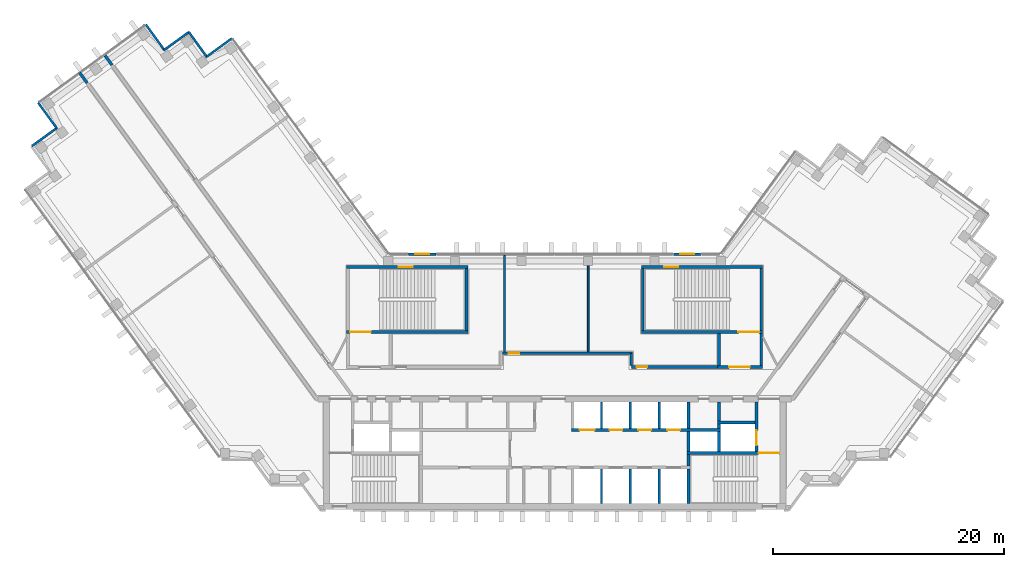
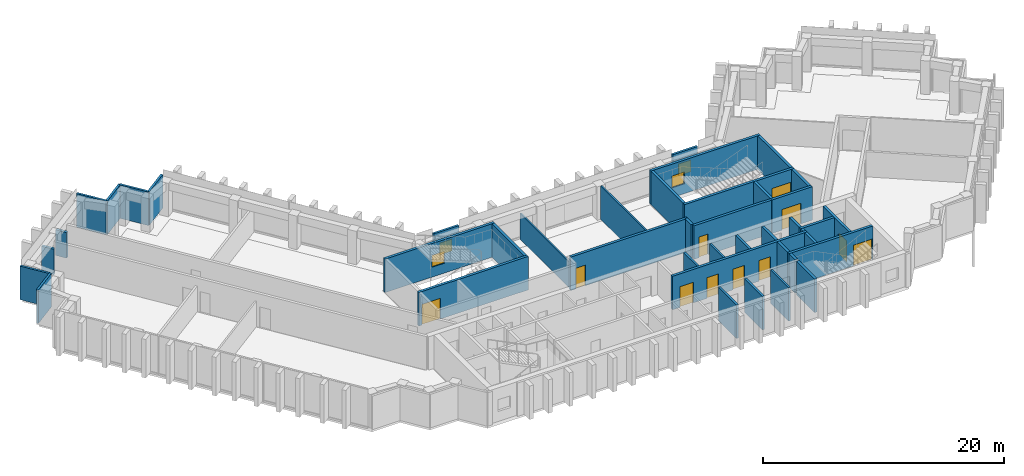
# One storey, part 6 of 9: 42 walls, 11 doors, 4 windows, 15 openings.
"""IFC4 building model written with IfcOpenShell, lengths in metres."""

import ifcopenshell
import ifcopenshell.guid

model = None  # the IFC model being written
_history = None  # IfcOwnerHistory: only IFC2X3 demands one
_inside = {}  # id of a spatial element -> (the spatial element, [elements in it])
_under = {}  # id of a project, library or spatial element -> (it, [spatial elements below it])
_declared = {}  # id of a project -> (the project, [libraries it declares])
_typed = {}  # id of a type object -> (the type object, [elements of that type])
_made_of = {}  # id of a material, layer set ... -> (it, [elements and type objects made of it])


def new_model(schema):
    """Start an empty IFC model of exactly this schema.

    Asked for "IFC4X3", IfcOpenShell would pick the latest addendum, in which some entities
    have other attributes; the version numbers below select the first issue.
    IFC2X3 requires an IfcOwnerHistory on every rooted entity: one is made here for all.
    """
    global model, _history
    if schema == "IFC4X3":
        model = ifcopenshell.file(schema_version=(4, 3, 0, 0))
    else:
        model = ifcopenshell.file(schema=schema)
    _inside.clear()
    _under.clear()
    _declared.clear()
    _typed.clear()
    _made_of.clear()
    _history = None
    if model.schema == "IFC2X3":
        org = make("IfcOrganization", Name="unknown")
        user = make(
            "IfcPersonAndOrganization",
            ThePerson=make("IfcPerson", FamilyName="unknown"),
            TheOrganization=org,
        )
        app = make(
            "IfcApplication",
            ApplicationDeveloper=org,
            Version="unknown",
            ApplicationFullName="unknown",
            ApplicationIdentifier="unknown",
        )
        _history = make(
            "IfcOwnerHistory",
            OwningUser=user,
            OwningApplication=app,
            ChangeAction="ADDED",
            CreationDate=0,
        )
    return model


def make(cls, **values):
    """One entity of the class cls with the attributes given. An attribute that is None is left unset."""
    return model.create_entity(
        cls, **{name: value for name, value in values.items() if value is not None}
    )


def rooted(cls, **values):
    """An entity with a GlobalId (a new one), such as an element, a storey or a relation."""
    return make(cls, GlobalId=ifcopenshell.guid.new(), OwnerHistory=_history, **values)


def si_unit(unit_type, name, prefix=None):
    """IfcSIUnit, for example si_unit("LENGTHUNIT", "METRE", prefix="MILLI")."""
    return make("IfcSIUnit", UnitType=unit_type, Prefix=prefix, Name=name)


def assignment(units):
    """IfcUnitAssignment: the units of a project."""
    return None if units is None else make("IfcUnitAssignment", Units=units)


def point(xyz):
    """IfcCartesianPoint."""
    return None if xyz is None else make("IfcCartesianPoint", Coordinates=xyz)


def direction(xyz):
    """IfcDirection."""
    return None if xyz is None else make("IfcDirection", DirectionRatios=xyz)


def frame(location, z_axis=None, x_axis=None):
    """IfcAxis2Placement3D, a coordinate frame: its origin and axes. An axis left out is left unset."""
    return make(
        "IfcAxis2Placement3D",
        Location=point(location),
        Axis=direction(z_axis),
        RefDirection=direction(x_axis),
    )


def frame_2d(location, x_axis=None):
    """IfcAxis2Placement2D, a coordinate frame in the plane: its origin and x axis."""
    return make(
        "IfcAxis2Placement2D", Location=point(location), RefDirection=direction(x_axis)
    )


def origin():
    """The frame at (0, 0, 0) with its axes left unset."""
    return frame((0.0, 0.0, 0.0))


def place(relative_to, where):
    """IfcLocalPlacement: puts the frame where relative to a parent placement (None: the world)."""
    return make(
        "IfcLocalPlacement", PlacementRelTo=relative_to, RelativePlacement=where
    )


def context(
    kind, dimensions, precision=None, world=None, true_north=None, identifier=None
):
    """IfcGeometricRepresentationContext, for example the 3D "Model" context."""
    return make(
        "IfcGeometricRepresentationContext",
        ContextIdentifier=identifier,
        ContextType=kind,
        CoordinateSpaceDimension=dimensions,
        Precision=precision,
        WorldCoordinateSystem=world,
        TrueNorth=true_north,
    )


def subcontext(parent, identifier, kind, view, scale=None):
    """IfcGeometricRepresentationSubContext, for example "Body" below "Model"."""
    return make(
        "IfcGeometricRepresentationSubContext",
        ContextIdentifier=identifier,
        ContextType=kind,
        ParentContext=parent,
        TargetScale=scale,
        TargetView=view,
    )


def project(units=None, contexts=None):
    """IfcProject with its units and contexts."""
    return rooted(
        "IfcProject",
        Name="project",
        RepresentationContexts=contexts,
        UnitsInContext=assignment(units),
    )


def spatial(cls, under=None, at=None, **own):
    """A site, building, storey or space (cls), placed at a placement, below another one or the project."""
    s = rooted(cls, ObjectPlacement=at, **own)
    if under is not None:
        _under.setdefault(under.id(), (under, []))[1].append(s)
    return s


def profile(cls, at=None, kind="AREA", **sizes):
    """A parametric profile (cls). Its sizes go by their IFC names, for example OverallWidth=200.0."""
    return make(cls, ProfileType=kind, Position=at, **sizes)


def rectangle(**sizes):
    """IfcRectangleProfileDef."""
    return profile("IfcRectangleProfileDef", **sizes)


def extrude(swept, where, along, depth):
    """IfcExtrudedAreaSolid: the profile swept, set in the frame where, extruded along a direction by depth."""
    return make(
        "IfcExtrudedAreaSolid",
        SweptArea=swept,
        Position=where,
        ExtrudedDirection=direction(along),
        Depth=depth,
    )


def shape(context_of_items, identifier, shape_type, items):
    """IfcShapeRepresentation: the items that make up one representation, for example the "Body"."""
    return make(
        "IfcShapeRepresentation",
        ContextOfItems=context_of_items,
        RepresentationIdentifier=identifier,
        RepresentationType=shape_type,
        Items=items,
    )


def material(Name=None, Category=None):
    """IfcMaterial."""
    return make("IfcMaterial", Name=Name, Category=Category)


def layer(
    of_material, thickness, ventilated=None, Name=None, Category=None, Priority=None
):
    """IfcMaterialLayer: one layer of a wall or slab, of a material (None: an air gap)."""
    return make(
        "IfcMaterialLayer",
        Material=of_material,
        LayerThickness=thickness,
        IsVentilated=ventilated,
        Name=Name,
        Category=Category,
        Priority=Priority,
    )


def layer_set(layers, Name=None):
    """IfcMaterialLayerSet."""
    return make("IfcMaterialLayerSet", MaterialLayers=layers, LayerSetName=Name)


def made_of(thing, what):
    """Note that an element or type object is made of a material, layer set ...; save() writes the relation."""
    if what is not None:
        _made_of.setdefault(what.id(), (what, []))[1].append(thing)
    return thing


def type_object(cls, material=None, **own):
    """A type object (cls), such as IfcWallType, which elements share."""
    return made_of(rooted(cls, **own), material)


def element(
    cls,
    number,
    at=None,
    inside=None,
    cuts=None,
    type_object=None,
    material=None,
    context=None,
    identifier="Body",
    shape_type=None,
    held_by="IfcProductDefinitionShape",
    body=None,
    shapes=None,
    **own,
):
    """One element of the class cls, such as IfcWall. Its Tag is "e" and its number.

    at: its placement. inside: the storey or other place that contains it. cuts: it is an
    opening in that element (IfcRelVoidsElement). A single representation is given by context,
    identifier, shape_type and body (its items); several are given by shapes. held_by: the class
    of the entity that holds the representations. save() writes the other relations.
    """
    e = rooted(cls, Tag="e%d" % number, ObjectPlacement=at, **own)
    if body is not None:
        shapes = [shape(context, identifier, shape_type, body)]
    if shapes is not None:
        e.Representation = make(held_by, Representations=shapes)
    if inside is not None:
        _inside.setdefault(inside.id(), (inside, []))[1].append(e)
    if cuts is not None:
        rooted(
            "IfcRelVoidsElement", RelatingBuildingElement=cuts, RelatedOpeningElement=e
        )
    if type_object is not None:
        _typed.setdefault(type_object.id(), (type_object, []))[1].append(e)
    return made_of(e, material)


def fill(opening, filler):
    """IfcRelFillsElement: the door or window that sits in an opening."""
    return rooted(
        "IfcRelFillsElement",
        RelatingOpeningElement=opening,
        RelatedBuildingElement=filler,
    )


def aggregate(whole, parts):
    """IfcRelAggregates: a whole, such as a stair, and the parts it consists of."""
    return rooted("IfcRelAggregates", RelatingObject=whole, RelatedObjects=parts)


def save(model, path):
    """Write the relations noted so far, then the file.

    IfcRelAggregates (storeys below a building ...), IfcRelContainedInSpatialStructure (elements
    in a storey), IfcRelDefinesByType, IfcRelAssociatesMaterial and IfcRelDeclares: one each for
    every whole, place, type object, material and project.
    """
    for whole, parts in _under.values():
        aggregate(whole, parts)
    for where, things in _inside.values():
        rooted(
            "IfcRelContainedInSpatialStructure",
            RelatedElements=things,
            RelatingStructure=where,
        )
    for kind, things in _typed.values():
        rooted("IfcRelDefinesByType", RelatedObjects=things, RelatingType=kind)
    for what, things in _made_of.values():
        rooted("IfcRelAssociatesMaterial", RelatedObjects=things, RelatingMaterial=what)
    for by, libraries in _declared.values():
        rooted("IfcRelDeclares", RelatingContext=by, RelatedDefinitions=libraries)
    model.write(path)


model = new_model("IFC4")

# Units and contexts
model_context = context("Model", 3, precision=1e-05, world=origin(), true_north=direction((0.0, 1.0)))
body_context = subcontext(model_context, "Body", "Model", "MODEL_VIEW")
ifc_project = project(units=[si_unit("LENGTHUNIT", "METRE"), si_unit("AREAUNIT", "SQUARE_METRE"), si_unit("VOLUMEUNIT", "CUBIC_METRE"), si_unit("PLANEANGLEUNIT", "RADIAN"), si_unit("MASSUNIT", "GRAM", prefix="KILO")], contexts=[model_context])

# Site, building, storey
site_placement = place(None, origin())
site = spatial("IfcSite", under=ifc_project, at=site_placement, CompositionType="ELEMENT")
building_placement = place(site_placement, origin())
building = spatial("IfcBuilding", under=site, at=building_placement, Name="Quipu Civic Tower", CompositionType="ELEMENT")
storey_placement = place(building_placement, frame((0.0, 0.0, 238.0)))
storey = spatial("IfcBuildingStorey", under=building, at=storey_placement, Name="L56", CompositionType="ELEMENT", Elevation=238.0)

# Walls
ifc_material_1 = material(Name="Double gypsum plasterboard with mineral wool")
ifc_layer_1 = layer(ifc_material_1, 0.14990234375)
ifc_layer_set_1 = layer_set([ifc_layer_1], Name="Double gypsum plasterboard with mineral wool")
wall_type_1 = type_object("IfcWallType", Name="Acoustic partition 150 plasterboard", PredefinedType="PARTITIONING", material=ifc_layer_set_1)
wall_1_placement = place(storey_placement, frame((-4.339111328125, 2.64990234375, 0.0), z_axis=(0.0, 0.0, 1.0), x_axis=(0.0, 1.0, 0.0)))
element("IfcWall", 1, at=wall_1_placement, inside=storey, type_object=wall_type_1, Name="Partition P03", PredefinedType="PARTITIONING", context=body_context, shape_type="SweptSolid", body=[
    extrude(rectangle(XDim=8.35009765625, YDim=0.14990234375, at=frame_2d((4.175048828125, 0.0))), origin(), (0.0, 0.0, 1.0), 2.60009765625),
])
wall_2_placement = place(storey_placement, frame((2.89892578125, 10.094970703125, 0.0), z_axis=(0.0, 0.0, 1.0), x_axis=(0.0, -1.0, 0.0)))
element("IfcWall", 2, at=wall_2_placement, inside=storey, type_object=wall_type_1, Name="Partition P04", PredefinedType="PARTITIONING", context=body_context, shape_type="SweptSolid", body=[
    extrude(rectangle(XDim=7.445068359375, YDim=0.14990234375, at=frame_2d((3.72265625, 0.0))), origin(), (0.0, 0.0, 1.0), 3.39990234375),
])
ifc_material_2 = material(Name="Concrete C70/85", Category="concrete")
ifc_layer_2 = layer(ifc_material_2, 0.25)
ifc_layer_set_2 = layer_set([ifc_layer_2], Name="Concrete C70/85")
wall_type_2 = type_object("IfcWallType", Name="Core wall 250", PredefinedType="SHEAR", material=ifc_layer_set_2)
wall_3_placement = place(storey_placement, frame((11.574951171875, -10.5, 0.0), z_axis=(0.0, 0.0, 1.0), x_axis=(0.0, 1.0, 0.0)))
element("IfcWall", 3, at=wall_3_placement, inside=storey, type_object=wall_type_2, Name="Core wall", PredefinedType="SHEAR", context=body_context, shape_type="SweptSolid", body=[
    extrude(rectangle(XDim=3.0, YDim=0.25, at=frame_2d((1.5, 0.0))), origin(), (0.0, 0.0, 1.0), 3.39990234375),
])
wall_4_placement = place(storey_placement, frame((11.574951171875, -7.25, 0.0), z_axis=(0.0, 0.0, 1.0), x_axis=(0.0, 1.0, 0.0)))
element("IfcWall", 4, at=wall_4_placement, inside=storey, type_object=wall_type_2, Name="Core wall", PredefinedType="SHEAR", context=body_context, shape_type="SweptSolid", body=[
    extrude(rectangle(XDim=1.0, YDim=0.25, at=frame_2d((0.5, 0.0))), origin(), (0.0, 0.0, 1.0), 3.39990234375),
])

# Wall, opening, door
wall_5_placement = place(storey_placement, frame((19.5, -6.125, 0.0), z_axis=(0.0, 0.0, 1.0), x_axis=(-1.0, 0.0, 0.0)))
wall_5 = element("IfcWall", 5, at=wall_5_placement, inside=storey, type_object=wall_type_2, Name="Core wall", PredefinedType="SHEAR", context=body_context, shape_type="SweptSolid", body=[
    extrude(rectangle(XDim=8.050048828125, YDim=0.25, at=frame_2d((4.02490234375, 0.0))), origin(), (0.0, 0.0, 1.0), 3.39990234375),
])
opening_1_placement = place(wall_5_placement, frame((0.050048828125, 0.0, 0.0)))
opening_1 = element("IfcOpeningElement", 6, at=opening_1_placement, cuts=wall_5, Name="Opening CD-06", PredefinedType="OPENING", context=body_context, shape_type="SweptSolid", body=[
    extrude(rectangle(XDim=1.800048828125, YDim=2.10009765625, at=frame_2d((0.89990234375, 1.050048828125))), frame((0.0, 0.135009765625, 0.0), z_axis=(0.0, -1.0, 0.0), x_axis=(1.0, 0.0, 0.0)), (0.0, 0.0, 1.0), 0.27001953125),
])
ifc_material_3 = material(Name="Fire rated steel door", Category="steel")
door_type_1 = type_object("IfcDoorType", Name="Fire door FD90 double 1800 x 2100", OperationType="NOTDEFINED", PredefinedType="DOOR", material=ifc_material_3)
door_1_placement = place(opening_1_placement, origin())
door_1 = element("IfcDoor", 7, at=door_1_placement, inside=storey, type_object=door_type_1, Name="Door", OperationType="DOUBLE_DOOR_SINGLE_SWING", OverallHeight=2.10009765625, OverallWidth=1.800048828125, PredefinedType="DOOR", context=body_context, shape_type="SweptSolid", body=[
    extrude(rectangle(XDim=1.800048828125, YDim=2.10009765625, at=frame_2d((0.89990234375, 1.050048828125))), frame((0.0, 0.02490234375, 0.0), z_axis=(0.0, -1.0, 0.0), x_axis=(1.0, 0.0, 0.0)), (0.0, 0.0, 1.0), 0.050048828125),
])
fill(opening_1, door_1)

# Walls
for number, where, z_axis, x_axis, name in (
    (8, (11.574951171875, -6.0, 0.0), (0.0, 0.0, 1.0), (0.0, 1.0, 0.0), "Core wall"),
    (9, (14.22509765625, -6.0, 0.0), (0.0, 0.0, 1.0), (0.0, 1.0, 0.0), "Core wall"),
):
    element("IfcWall", number, at=place(storey_placement, frame(where, z_axis=z_axis, x_axis=x_axis)), inside=storey, type_object=wall_type_2, Name=name, PredefinedType="SHEAR", context=body_context, shape_type="SweptSolid", body=[
        extrude(rectangle(XDim=1.75, YDim=0.25, at=frame_2d((0.875, 0.0))), origin(), (0.0, 0.0, 1.0), 3.39990234375),
    ])

# Wall, opening, door
wall_6_placement = place(storey_placement, frame((17.47509765625, -6.0, 0.0), z_axis=(0.0, 0.0, 1.0), x_axis=(0.0, 1.0, 0.0)))
wall_6 = element("IfcWall", 10, at=wall_6_placement, inside=storey, type_object=wall_type_2, Name="Core wall", PredefinedType="SHEAR", context=body_context, shape_type="SweptSolid", body=[
    extrude(rectangle(XDim=4.300048828125, YDim=0.25, at=frame_2d((2.14990234375, 0.0))), origin(), (0.0, 0.0, 1.0), 3.39990234375),
])
opening_2_placement = place(wall_6_placement, frame((0.550048828125, 0.0, 0.0)))
opening_2 = element("IfcOpeningElement", 11, at=opening_2_placement, cuts=wall_6, Name="Opening LD-FF2", PredefinedType="OPENING", context=body_context, shape_type="SweptSolid", body=[
    extrude(rectangle(XDim=1.300048828125, YDim=2.10009765625, at=frame_2d((0.64990234375, 1.050048828125))), frame((0.0, 0.135009765625, 0.0), z_axis=(0.0, -1.0, 0.0), x_axis=(1.0, 0.0, 0.0)), (0.0, 0.0, 1.0), 0.27001953125),
])
ifc_material_4 = material(Name="Stainless steel", Category="steel")
door_type_2 = type_object("IfcDoorType", Name="Lift landing door 1300 x 2100", OperationType="DOUBLE_DOOR_SLIDING", PredefinedType="DOOR", material=ifc_material_4)
door_2_placement = place(opening_2_placement, origin())
door_2 = element("IfcDoor", 12, at=door_2_placement, inside=storey, type_object=door_type_2, Name="Landing door FF2", OperationType="DOUBLE_DOOR_SLIDING", OverallHeight=2.10009765625, OverallWidth=1.300048828125, PredefinedType="DOOR", context=body_context, shape_type="SweptSolid", body=[
    extrude(rectangle(XDim=1.300048828125, YDim=2.10009765625, at=frame_2d((0.64990234375, 1.050048828125))), frame((0.0, 0.02490234375, 0.0), z_axis=(0.0, -1.0, 0.0), x_axis=(1.0, 0.0, 0.0)), (0.0, 0.0, 1.0), 0.050048828125),
])
fill(opening_2, door_2)

# Wall, openings, doors
wall_7_placement = place(storey_placement, frame((1.449951171875, -4.125, 0.0), z_axis=(0.0, 0.0, 1.0), x_axis=(1.0, 0.0, 0.0)))
wall_7 = element("IfcWall", 13, at=wall_7_placement, inside=storey, type_object=wall_type_2, Name="Core wall", PredefinedType="SHEAR", context=body_context, shape_type="SweptSolid", body=[
    extrude(rectangle(XDim=12.900146484375, YDim=0.25, at=frame_2d((6.4501953125, 0.0))), origin(), (0.0, 0.0, 1.0), 3.39990234375),
])
opening_3_placement = place(wall_7_placement, frame((0.699951171875, 0.0, 0.0)))
opening_3 = element("IfcOpeningElement", 14, at=opening_3_placement, cuts=wall_7, Name="Opening LD-FF3", PredefinedType="OPENING", context=body_context, shape_type="SweptSolid", body=[
    extrude(rectangle(XDim=1.300048828125, YDim=2.10009765625, at=frame_2d((0.64990234375, 1.050048828125))), frame((0.0, 0.135009765625, 0.0), z_axis=(0.0, -1.0, 0.0), x_axis=(1.0, 0.0, 0.0)), (0.0, 0.0, 1.0), 0.27001953125),
])
opening_4_placement = place(wall_7_placement, frame((3.300048828125, 0.0, 0.0)))
opening_4 = element("IfcOpeningElement", 15, at=opening_4_placement, cuts=wall_7, Name="Opening LD-ML5", PredefinedType="OPENING", context=body_context, shape_type="SweptSolid", body=[
    extrude(rectangle(XDim=1.10009765625, YDim=2.10009765625, at=frame_2d((0.550048828125, 1.050048828125))), frame((0.0, 0.135009765625, 0.0), z_axis=(0.0, -1.0, 0.0), x_axis=(1.0, 0.0, 0.0)), (0.0, 0.0, 1.0), 0.27001953125),
])
opening_5_placement = place(wall_7_placement, frame((5.800048828125, 0.0, 0.0)))
opening_5 = element("IfcOpeningElement", 16, at=opening_5_placement, cuts=wall_7, Name="Opening LD-ML6", PredefinedType="OPENING", context=body_context, shape_type="SweptSolid", body=[
    extrude(rectangle(XDim=1.10009765625, YDim=2.10009765625, at=frame_2d((0.550048828125, 1.050048828125))), frame((0.0, 0.135009765625, 0.0), z_axis=(0.0, -1.0, 0.0), x_axis=(1.0, 0.0, 0.0)), (0.0, 0.0, 1.0), 0.27001953125),
])
opening_6_placement = place(wall_7_placement, frame((8.300048828125, 0.0, 0.0)))
opening_6 = element("IfcOpeningElement", 17, at=opening_6_placement, cuts=wall_7, Name="Opening LD-ML7", PredefinedType="OPENING", context=body_context, shape_type="SweptSolid", body=[
    extrude(rectangle(XDim=1.10009765625, YDim=2.10009765625, at=frame_2d((0.550048828125, 1.050048828125))), frame((0.0, 0.135009765625, 0.0), z_axis=(0.0, -1.0, 0.0), x_axis=(1.0, 0.0, 0.0)), (0.0, 0.0, 1.0), 0.27001953125),
])
ifc_material_5 = material(Name="Stainless steel", Category="steel")
door_type_3 = type_object("IfcDoorType", Name="Lift landing door 1100 x 2100", OperationType="DOUBLE_DOOR_SLIDING", PredefinedType="DOOR", material=ifc_material_5)
door_3_placement = place(opening_4_placement, origin())
door_3 = element("IfcDoor", 18, at=door_3_placement, inside=storey, type_object=door_type_3, Name="Landing door ML5", OperationType="DOUBLE_DOOR_SLIDING", OverallHeight=2.10009765625, OverallWidth=1.10009765625, PredefinedType="DOOR", context=body_context, shape_type="SweptSolid", body=[
    extrude(rectangle(XDim=1.10009765625, YDim=2.10009765625, at=frame_2d((0.550048828125, 1.050048828125))), frame((0.0, 0.02490234375, 0.0), z_axis=(0.0, -1.0, 0.0), x_axis=(1.0, 0.0, 0.0)), (0.0, 0.0, 1.0), 0.050048828125),
])
fill(opening_4, door_3)
door_4_placement = place(opening_5_placement, origin())
door_4 = element("IfcDoor", 19, at=door_4_placement, inside=storey, type_object=door_type_3, Name="Landing door ML6", OperationType="DOUBLE_DOOR_SLIDING", OverallHeight=2.10009765625, OverallWidth=1.10009765625, PredefinedType="DOOR", context=body_context, shape_type="SweptSolid", body=[
    extrude(rectangle(XDim=1.10009765625, YDim=2.10009765625, at=frame_2d((0.550048828125, 1.050048828125))), frame((0.0, 0.02490234375, 0.0), z_axis=(0.0, -1.0, 0.0), x_axis=(1.0, 0.0, 0.0)), (0.0, 0.0, 1.0), 0.050048828125),
])
fill(opening_5, door_4)
door_5_placement = place(opening_6_placement, origin())
door_5 = element("IfcDoor", 20, at=door_5_placement, inside=storey, type_object=door_type_3, Name="Landing door ML7", OperationType="DOUBLE_DOOR_SLIDING", OverallHeight=2.10009765625, OverallWidth=1.10009765625, PredefinedType="DOOR", context=body_context, shape_type="SweptSolid", body=[
    extrude(rectangle(XDim=1.10009765625, YDim=2.10009765625, at=frame_2d((0.550048828125, 1.050048828125))), frame((0.0, 0.02490234375, 0.0), z_axis=(0.0, -1.0, 0.0), x_axis=(1.0, 0.0, 0.0)), (0.0, 0.0, 1.0), 0.050048828125),
])
fill(opening_6, door_5)
door_6_placement = place(opening_3_placement, origin())
door_6 = element("IfcDoor", 21, at=door_6_placement, inside=storey, type_object=door_type_2, Name="Landing door FF3", OperationType="DOUBLE_DOOR_SLIDING", OverallHeight=2.10009765625, OverallWidth=1.300048828125, PredefinedType="DOOR", context=body_context, shape_type="SweptSolid", body=[
    extrude(rectangle(XDim=1.300048828125, YDim=2.10009765625, at=frame_2d((0.64990234375, 1.050048828125))), frame((0.0, 0.02490234375, 0.0), z_axis=(0.0, -1.0, 0.0), x_axis=(1.0, 0.0, 0.0)), (0.0, 0.0, 1.0), 0.050048828125),
])
fill(opening_3, door_6)

# Walls
wall_8_placement = place(storey_placement, frame((11.574951171875, -4.0, 0.0), z_axis=(0.0, 0.0, 1.0), x_axis=(0.0, 1.0, 0.0)))
element("IfcWall", 22, at=wall_8_placement, inside=storey, type_object=wall_type_2, Name="Core wall", PredefinedType="SHEAR", context=body_context, shape_type="SweptSolid", body=[
    extrude(rectangle(XDim=2.300048828125, YDim=0.25, at=frame_2d((1.14990234375, 0.0))), origin(), (0.0, 0.0, 1.0), 3.39990234375),
])
wall_9_placement = place(storey_placement, frame((14.22509765625, -4.0, 0.0), z_axis=(0.0, 0.0, 1.0), x_axis=(0.0, 1.0, 0.0)))
element("IfcWall", 23, at=wall_9_placement, inside=storey, type_object=wall_type_2, Name="Core wall", PredefinedType="SHEAR", context=body_context, shape_type="SweptSolid", body=[
    extrude(rectangle(XDim=0.39990234375, YDim=0.25, at=frame_2d((0.199951171875, 0.0))), origin(), (0.0, 0.0, 1.0), 3.39990234375),
])
wall_10_placement = place(storey_placement, frame((14.10009765625, -3.47509765625, 0.0), z_axis=(0.0, 0.0, 1.0), x_axis=(1.0, 0.0, 0.0)))
element("IfcWall", 24, at=wall_10_placement, inside=storey, type_object=wall_type_2, Name="Core wall", PredefinedType="SHEAR", context=body_context, shape_type="SweptSolid", body=[
    extrude(rectangle(XDim=3.25, YDim=0.25, at=frame_2d((1.625, 0.0))), origin(), (0.0, 0.0, 1.0), 3.39990234375),
])
wall_11_placement = place(storey_placement, frame((14.22509765625, -3.35009765625, 0.0), z_axis=(0.0, 0.0, 1.0), x_axis=(0.0, 1.0, 0.0)))
element("IfcWall", 25, at=wall_11_placement, inside=storey, type_object=wall_type_2, Name="Core wall", PredefinedType="SHEAR", context=body_context, shape_type="SweptSolid", body=[
    extrude(rectangle(XDim=1.650146484375, YDim=0.25, at=frame_2d((0.8251953125, 0.0))), origin(), (0.0, 0.0, 1.0), 3.39990234375),
])

# Wall, opening, door
wall_12_placement = place(storey_placement, frame((-18.0, 4.375, 0.0), z_axis=(0.0, 0.0, 1.0), x_axis=(1.0, 0.0, 0.0)))
wall_12 = element("IfcWall", 26, at=wall_12_placement, inside=storey, type_object=wall_type_2, Name="Core wall", PredefinedType="SHEAR", context=body_context, shape_type="SweptSolid", body=[
    extrude(rectangle(XDim=10.5, YDim=0.25, at=frame_2d((5.25, 0.0))), origin(), (0.0, 0.0, 1.0), 3.39990234375),
])
opening_7_placement = place(wall_12_placement, frame((0.300048828125, 0.0, 0.0)))
opening_7 = element("IfcOpeningElement", 27, at=opening_7_placement, cuts=wall_12, Name="Opening CD-20", PredefinedType="OPENING", context=body_context, shape_type="SweptSolid", body=[
    extrude(rectangle(XDim=1.800048828125, YDim=2.10009765625, at=frame_2d((0.89990234375, 1.050048828125))), frame((0.0, 0.135009765625, 0.0), z_axis=(0.0, -1.0, 0.0), x_axis=(1.0, 0.0, 0.0)), (0.0, 0.0, 1.0), 0.27001953125),
])
door_7_placement = place(opening_7_placement, origin())
door_7 = element("IfcDoor", 28, at=door_7_placement, inside=storey, type_object=door_type_1, Name="Door", OperationType="DOUBLE_DOOR_SINGLE_SWING", OverallHeight=2.10009765625, OverallWidth=1.800048828125, PredefinedType="DOOR", context=body_context, shape_type="SweptSolid", body=[
    extrude(rectangle(XDim=1.800048828125, YDim=2.10009765625, at=frame_2d((0.89990234375, 1.050048828125))), frame((0.0, 0.02490234375, 0.0), z_axis=(0.0, -1.0, 0.0), x_axis=(1.0, 0.0, 0.0)), (0.0, 0.0, 1.0), 0.050048828125),
])
fill(opening_7, door_7)

# Wall
wall_13_placement = place(storey_placement, frame((-7.625, 4.5, 0.0), z_axis=(0.0, 0.0, 1.0), x_axis=(0.0, 1.0, 0.0)))
element("IfcWall", 29, at=wall_13_placement, inside=storey, type_object=wall_type_2, Name="Core wall", PredefinedType="SHEAR", context=body_context, shape_type="SweptSolid", body=[
    extrude(rectangle(XDim=5.35009765625, YDim=0.25, at=frame_2d((2.675048828125, 0.0))), origin(), (0.0, 0.0, 1.0), 3.39990234375),
])

# Wall, opening, window
wall_14_placement = place(storey_placement, frame((-18.0, 9.97509765625, 0.0), z_axis=(0.0, 0.0, 1.0), x_axis=(1.0, 0.0, 0.0)))
wall_14 = element("IfcWall", 30, at=wall_14_placement, inside=storey, type_object=wall_type_2, Name="Core wall", PredefinedType="SHEAR", context=body_context, shape_type="SweptSolid", body=[
    extrude(rectangle(XDim=10.5, YDim=0.25, at=frame_2d((5.25, 0.0))), origin(), (0.0, 0.0, 1.0), 3.39990234375),
])
opening_8_placement = place(wall_14_placement, frame((4.5, 0.0, 1.0)))
opening_8 = element("IfcOpeningElement", 31, at=opening_8_placement, cuts=wall_14, Name="Opening SV-3", PredefinedType="OPENING", context=body_context, shape_type="SweptSolid", body=[
    extrude(rectangle(XDim=1.199951171875, YDim=1.199951171875, at=frame_2d((0.60009765625, 0.60009765625))), frame((0.0, 0.135009765625, 0.0), z_axis=(0.0, -1.0, 0.0), x_axis=(1.0, 0.0, 0.0)), (0.0, 0.0, 1.0), 0.27001953125),
])
ifc_material_6 = material(Name="Aluminium louvre", Category="aluminium")
window_type_1 = type_object("IfcWindowType", Name="Stair ventilation louvre 1200 x 1200", PartitioningType="SINGLE_PANEL", PredefinedType="WINDOW", material=ifc_material_6)
window_1_placement = place(opening_8_placement, origin())
window_1 = element("IfcWindow", 32, at=window_1_placement, inside=storey, type_object=window_type_1, Name="Stair ventilation opening", OverallHeight=1.199951171875, OverallWidth=1.199951171875, PartitioningType="SINGLE_PANEL", PredefinedType="WINDOW", context=body_context, shape_type="SweptSolid", body=[
    extrude(rectangle(XDim=1.199951171875, YDim=1.199951171875, at=frame_2d((0.60009765625, 0.60009765625))), frame((0.0, 0.030029296875, 0.0), z_axis=(0.0, -1.0, 0.0), x_axis=(1.0, 0.0, 0.0)), (0.0, 0.0, 1.0), 0.06005859375),
])
fill(opening_8, window_1)

# Wall, opening, door
wall_15_placement = place(storey_placement, frame((14.10009765625, 1.324951171875, 0.0), z_axis=(0.0, 0.0, 1.0), x_axis=(1.0, 0.0, 0.0)))
wall_15 = element("IfcWall", 33, at=wall_15_placement, inside=storey, type_object=wall_type_2, Name="Core wall", PredefinedType="SHEAR", context=body_context, shape_type="SweptSolid", body=[
    extrude(rectangle(XDim=3.89990234375, YDim=0.25, at=frame_2d((1.949951171875, 0.0))), origin(), (0.0, 0.0, 1.0), 3.39990234375),
])
opening_9_placement = place(wall_15_placement, frame((1.0, 0.0, 0.0)))
opening_9 = element("IfcOpeningElement", 34, at=opening_9_placement, cuts=wall_15, Name="Opening CD-21", PredefinedType="OPENING", context=body_context, shape_type="SweptSolid", body=[
    extrude(rectangle(XDim=1.800048828125, YDim=2.10009765625, at=frame_2d((0.89990234375, 1.050048828125))), frame((0.0, 0.135009765625, 0.0), z_axis=(0.0, -1.0, 0.0), x_axis=(1.0, 0.0, 0.0)), (0.0, 0.0, 1.0), 0.27001953125),
])
door_8_placement = place(opening_9_placement, origin())
door_8 = element("IfcDoor", 35, at=door_8_placement, inside=storey, type_object=door_type_1, Name="Lobby door", OperationType="DOUBLE_DOOR_SINGLE_SWING", OverallHeight=2.10009765625, OverallWidth=1.800048828125, PredefinedType="DOOR", context=body_context, shape_type="SweptSolid", body=[
    extrude(rectangle(XDim=1.800048828125, YDim=2.10009765625, at=frame_2d((0.89990234375, 1.050048828125))), frame((0.0, 0.02490234375, 0.0), z_axis=(0.0, -1.0, 0.0), x_axis=(1.0, 0.0, 0.0)), (0.0, 0.0, 1.0), 0.050048828125),
])
fill(opening_9, door_8)

# Walls
for number, where, z_axis, x_axis, name in (
    (36, (14.22509765625, 1.449951171875, 0.0), (0.0, 0.0, 1.0), (0.0, 1.0, 0.0), "Core wall"),
    (37, (17.875, 1.449951171875, 0.0), (0.0, 0.0, 1.0), (0.0, 1.0, 0.0), "Core wall"),
):
    element("IfcWall", number, at=place(storey_placement, frame(where, z_axis=z_axis, x_axis=x_axis)), inside=storey, type_object=wall_type_2, Name=name, PredefinedType="SHEAR", context=body_context, shape_type="SweptSolid", body=[
        extrude(rectangle(XDim=2.800048828125, YDim=0.25, at=frame_2d((1.39990234375, 0.0))), origin(), (0.0, 0.0, 1.0), 3.39990234375),
    ])

# Wall, opening, door
wall_16_placement = place(storey_placement, frame((7.5, 4.375, 0.0), z_axis=(0.0, 0.0, 1.0), x_axis=(1.0, 0.0, 0.0)))
wall_16 = element("IfcWall", 38, at=wall_16_placement, inside=storey, type_object=wall_type_2, Name="Core wall", PredefinedType="SHEAR", context=body_context, shape_type="SweptSolid", body=[
    extrude(rectangle(XDim=10.5, YDim=0.25, at=frame_2d((5.25, 0.0))), origin(), (0.0, 0.0, 1.0), 3.39990234375),
])
opening_10_placement = place(wall_16_placement, frame((8.39990234375, 0.0, 0.0)))
opening_10 = element("IfcOpeningElement", 39, at=opening_10_placement, cuts=wall_16, Name="Opening CD-22", PredefinedType="OPENING", context=body_context, shape_type="SweptSolid", body=[
    extrude(rectangle(XDim=1.800048828125, YDim=2.10009765625, at=frame_2d((0.89990234375, 1.050048828125))), frame((0.0, 0.135009765625, 0.0), z_axis=(0.0, -1.0, 0.0), x_axis=(1.0, 0.0, 0.0)), (0.0, 0.0, 1.0), 0.27001953125),
])
door_9_placement = place(opening_10_placement, origin())
door_9 = element("IfcDoor", 40, at=door_9_placement, inside=storey, type_object=door_type_1, Name="Door", OperationType="DOUBLE_DOOR_SINGLE_SWING", OverallHeight=2.10009765625, OverallWidth=1.800048828125, PredefinedType="DOOR", context=body_context, shape_type="SweptSolid", body=[
    extrude(rectangle(XDim=1.800048828125, YDim=2.10009765625, at=frame_2d((0.89990234375, 1.050048828125))), frame((0.0, 0.02490234375, 0.0), z_axis=(0.0, -1.0, 0.0), x_axis=(1.0, 0.0, 0.0)), (0.0, 0.0, 1.0), 0.050048828125),
])
fill(opening_10, door_9)

# Walls
for number, where, z_axis, x_axis, name in (
    (41, (7.625, 4.5, 0.0), (0.0, 0.0, 1.0), (0.0, 1.0, 0.0), "Core wall"),
    (42, (17.875, 4.5, 0.0), (0.0, 0.0, 1.0), (0.0, 1.0, 0.0), "Core wall"),
):
    element("IfcWall", number, at=place(storey_placement, frame(where, z_axis=z_axis, x_axis=x_axis)), inside=storey, type_object=wall_type_2, Name=name, PredefinedType="SHEAR", context=body_context, shape_type="SweptSolid", body=[
        extrude(rectangle(XDim=5.35009765625, YDim=0.25, at=frame_2d((2.675048828125, 0.0))), origin(), (0.0, 0.0, 1.0), 3.39990234375),
    ])

# Wall, opening, window
wall_17_placement = place(storey_placement, frame((7.5, 9.97509765625, 0.0), z_axis=(0.0, 0.0, 1.0), x_axis=(1.0, 0.0, 0.0)))
wall_17 = element("IfcWall", 43, at=wall_17_placement, inside=storey, type_object=wall_type_2, Name="Core wall", PredefinedType="SHEAR", context=body_context, shape_type="SweptSolid", body=[
    extrude(rectangle(XDim=10.5, YDim=0.25, at=frame_2d((5.25, 0.0))), origin(), (0.0, 0.0, 1.0), 3.39990234375),
])
opening_11_placement = place(wall_17_placement, frame((2.0, 0.0, 1.0)))
opening_11 = element("IfcOpeningElement", 44, at=opening_11_placement, cuts=wall_17, Name="Opening SV-4", PredefinedType="OPENING", context=body_context, shape_type="SweptSolid", body=[
    extrude(rectangle(XDim=1.199951171875, YDim=1.199951171875, at=frame_2d((0.60009765625, 0.60009765625))), frame((0.0, 0.135009765625, 0.0), z_axis=(0.0, -1.0, 0.0), x_axis=(1.0, 0.0, 0.0)), (0.0, 0.0, 1.0), 0.27001953125),
])
window_2_placement = place(opening_11_placement, origin())
window_2 = element("IfcWindow", 45, at=window_2_placement, inside=storey, type_object=window_type_1, Name="Stair ventilation opening", OverallHeight=1.199951171875, OverallWidth=1.199951171875, PartitioningType="SINGLE_PANEL", PredefinedType="WINDOW", context=body_context, shape_type="SweptSolid", body=[
    extrude(rectangle(XDim=1.199951171875, YDim=1.199951171875, at=frame_2d((0.60009765625, 0.60009765625))), frame((0.0, 0.030029296875, 0.0), z_axis=(0.0, -1.0, 0.0), x_axis=(1.0, 0.0, 0.0)), (0.0, 0.0, 1.0), 0.06005859375),
])
fill(opening_11, window_2)

# Wall, opening, door
ifc_material_7 = material(Name="Concrete C50/60", Category="concrete")
ifc_layer_3 = layer(ifc_material_7, 0.25)
ifc_layer_set_3 = layer_set([ifc_layer_3], Name="Concrete C50/60")
wall_type_3 = type_object("IfcWallType", Name="Corridor wall 250 concrete", PredefinedType="SOLIDWALL", material=ifc_layer_set_3)
wall_18_placement = place(storey_placement, frame((6.65869140625, 1.324951171875, 0.0), z_axis=(0.0, 0.0, 1.0), x_axis=(1.0, 0.0, 0.0)))
wall_18 = element("IfcWall", 46, at=wall_18_placement, inside=storey, type_object=wall_type_3, Name="Corridor wall C01", PredefinedType="SOLIDWALL", context=body_context, shape_type="SweptSolid", body=[
    extrude(rectangle(XDim=7.431396484375, YDim=0.25, at=frame_2d((3.7158203125, 0.0))), origin(), (0.0, 0.0, 1.0), 3.39990234375),
])
opening_12_placement = place(wall_18_placement, frame((0.44140625, 0.0, 0.0)))
opening_12 = element("IfcOpeningElement", 47, at=opening_12_placement, cuts=wall_18, Name="Opening D007", PredefinedType="OPENING", context=body_context, shape_type="SweptSolid", body=[
    extrude(rectangle(XDim=0.89990234375, YDim=2.10009765625, at=frame_2d((0.449951171875, 1.050048828125))), frame((0.0, 0.135009765625, 0.0), z_axis=(0.0, -1.0, 0.0), x_axis=(1.0, 0.0, 0.0)), (0.0, 0.0, 1.0), 0.27001953125),
])
ifc_material_8 = material(Name="Fire rated timber door set with metal frame", Category="wood")
door_type_4 = type_object("IfcDoorType", Name="Single door 900 x 2100 FD60", OperationType="NOTDEFINED", PredefinedType="DOOR", material=ifc_material_8)
door_10_placement = place(opening_12_placement, origin())
door_10 = element("IfcDoor", 48, at=door_10_placement, inside=storey, type_object=door_type_4, Name="Door D007", OperationType="SINGLE_SWING_LEFT", OverallHeight=2.10009765625, OverallWidth=0.89990234375, PredefinedType="DOOR", context=body_context, shape_type="SweptSolid", body=[
    extrude(rectangle(XDim=0.89990234375, YDim=2.10009765625, at=frame_2d((0.449951171875, 1.050048828125))), frame((0.0, 0.02490234375, 0.0), z_axis=(0.0, -1.0, 0.0), x_axis=(1.0, 0.0, 0.0)), (0.0, 0.0, 1.0), 0.050048828125),
])
fill(opening_12, door_10)

wall_19_placement = place(storey_placement, frame((-4.5, 2.52490234375, 0.0), z_axis=(0.0, 0.0, 1.0), x_axis=(1.0, 0.0, 0.0)))
wall_19 = element("IfcWall", 49, at=wall_19_placement, inside=storey, type_object=wall_type_3, Name="Corridor wall C09", PredefinedType="SOLIDWALL", context=body_context, shape_type="SweptSolid", body=[
    extrude(rectangle(XDim=11.25, YDim=0.25, at=frame_2d((5.625, 0.0))), origin(), (0.0, 0.0, 1.0), 3.39990234375),
])
opening_13_placement = place(wall_19_placement, frame((0.531005859375, 0.0, 0.0)))
opening_13 = element("IfcOpeningElement", 50, at=opening_13_placement, cuts=wall_19, Name="Opening D006", PredefinedType="OPENING", context=body_context, shape_type="SweptSolid", body=[
    extrude(rectangle(XDim=0.89990234375, YDim=2.10009765625, at=frame_2d((0.449951171875, 1.050048828125))), frame((0.0, 0.135009765625, 0.0), z_axis=(0.0, -1.0, 0.0), x_axis=(1.0, 0.0, 0.0)), (0.0, 0.0, 1.0), 0.27001953125),
])
door_11_placement = place(opening_13_placement, origin())
door_11 = element("IfcDoor", 51, at=door_11_placement, inside=storey, type_object=door_type_4, Name="Door D006", OperationType="SINGLE_SWING_LEFT", OverallHeight=2.10009765625, OverallWidth=0.89990234375, PredefinedType="DOOR", context=body_context, shape_type="SweptSolid", body=[
    extrude(rectangle(XDim=0.89990234375, YDim=2.10009765625, at=frame_2d((0.449951171875, 1.050048828125))), frame((0.0, 0.02490234375, 0.0), z_axis=(0.0, -1.0, 0.0), x_axis=(1.0, 0.0, 0.0)), (0.0, 0.0, 1.0), 0.050048828125),
])
fill(opening_13, door_11)

# Walls
wall_20_placement = place(storey_placement, frame((6.625, 2.483642578125, 0.0), z_axis=(0.0, 0.0, 1.0), x_axis=(0.0, -1.0, 0.0)))
element("IfcWall", 52, at=wall_20_placement, inside=storey, type_object=wall_type_3, Name="Corridor wall C10", PredefinedType="SOLIDWALL", context=body_context, shape_type="SweptSolid", body=[
    extrude(rectangle(XDim=1.030029296875, YDim=0.25, at=frame_2d((0.51513671875, 0.0))), origin(), (0.0, 0.0, 1.0), 3.39990234375),
])
wall_21_placement = place(storey_placement, frame((-40.46337890625, 25.911376953125, 0.0), z_axis=(0.0, 0.0, 1.0), x_axis=(-0.587792454268, 0.809011761785, 0.0)))
element("IfcWall", 53, at=wall_21_placement, inside=storey, type_object=wall_type_3, Name="Corridor wall C05", PredefinedType="SOLIDWALL", context=body_context, shape_type="SweptSolid", body=[
    extrude(rectangle(XDim=1.1103515625, YDim=0.25, at=frame_2d((0.55517578125, 0.0))), origin(), (0.0, 0.0, 1.0), 2.60009765625),
])
wall_22_placement = place(storey_placement, frame((-38.31982421875, 27.46923828125, 0.0), z_axis=(0.0, 0.0, 1.0), x_axis=(-0.587811913486, 0.808997623213, 0.0)))
element("IfcWall", 54, at=wall_22_placement, inside=storey, type_object=wall_type_3, Name="Corridor wall C06", PredefinedType="SOLIDWALL", context=body_context, shape_type="SweptSolid", body=[
    extrude(rectangle(XDim=1.0087890625, YDim=0.25, at=frame_2d((0.50439453125, 0.0))), origin(), (0.0, 0.0, 1.0), 2.60009765625),
])
ifc_material_9 = material(Name="Precast concrete C40/50", Category="concrete")
wall_type_4 = type_object("IfcWallType", Name="Precast cladding wall", PredefinedType="SOLIDWALL", material=ifc_material_9)
for number, where, z_axis, x_axis, name in (
    (55, (-27.92138671875, 29.787109375, 0.0), (0.0, 0.0, 1.0), (-0.809033161865, -0.587762999008, 0.0), "Precast cladding wall L56 P02"),
    (56, (-30.08349609375, 28.149169921875, 0.0), (0.0, 0.0, 1.0), (-0.587762999008, 0.809033161865, 0.0), "Precast cladding wall L56 P03"),
    (57, (-31.653564453125, 30.330810546875, 0.0), (0.0, 0.0, 1.0), (-0.809033161865, -0.587762999008, 0.0), "Precast cladding wall L56 P04"),
    (58, (-33.80078125, 28.785888671875, 0.0), (0.0, 0.0, 1.0), (-0.587762999008, 0.809033161865, 0.0), "Precast cladding wall L56 P05"),
    (59, (-44.699462890625, 24.20458984375, 0.0), (0.0, 0.0, 1.0), (0.587762999008, -0.809033161865, 0.0), "Precast cladding wall L56 P07"),
    (60, (-43.060791015625, 22.04296875, 0.0), (0.0, 0.0, 1.0), (-0.809033161865, -0.587762999008, 0.0), "Precast cladding wall L56 P08"),
):
    element("IfcWall", number, at=place(storey_placement, frame(where, z_axis=z_axis, x_axis=x_axis)), inside=storey, type_object=wall_type_4, Name=name, PredefinedType="SOLIDWALL", context=body_context, shape_type="SweptSolid", body=[
        extrude(rectangle(XDim=2.699951171875, YDim=0.199951171875, at=frame_2d((1.35009765625, 0.0))), origin(), (0.0, 0.0, 1.0), 3.39990234375),
    ])

# Wall, opening, window
wall_23_placement = place(storey_placement, frame((12.655029296875, 11.10009765625, 0.0), z_axis=(0.0, 0.0, 1.0), x_axis=(-1.0, 0.0, 0.0)))
wall_23 = element("IfcWall", 61, at=wall_23_placement, inside=storey, type_object=wall_type_4, Name="Vent surround SF-L54-2", PredefinedType="SOLIDWALL", context=body_context, shape_type="SweptSolid", body=[
    extrude(rectangle(XDim=2.3916015625, YDim=0.199951171875, at=frame_2d((1.19580078125, 0.0))), origin(), (0.0, 0.0, 1.0), 3.39990234375),
])
opening_14_placement = place(wall_23_placement, frame((0.595703125, 0.0, 1.0)))
opening_14 = element("IfcOpeningElement", 62, at=opening_14_placement, cuts=wall_23, Name="Opening SF-L54-2", PredefinedType="OPENING", context=body_context, shape_type="SweptSolid", body=[
    extrude(rectangle(XDim=1.199951171875, YDim=1.199951171875, at=frame_2d((0.60009765625, 0.60009765625))), frame((0.0, 0.10986328125, 0.0), z_axis=(0.0, -1.0, 0.0), x_axis=(1.0, 0.0, 0.0)), (0.0, 0.0, 1.0), 0.219970703125),
])
ifc_material_10 = material(Name="Anodised aluminium louvre", Category="aluminium")
window_type_2 = type_object("IfcWindowType", Name="Stair vent louvre window P3", PartitioningType="SINGLE_PANEL", PredefinedType="WINDOW", material=ifc_material_10)
window_3_placement = place(opening_14_placement, origin())
window_3 = element("IfcWindow", 63, at=window_3_placement, inside=storey, type_object=window_type_2, Name="Stair vent louvre SF-L54-2", OverallHeight=1.199951171875, OverallWidth=1.199951171875, PartitioningType="SINGLE_PANEL", PredefinedType="WINDOW", context=body_context, shape_type="SweptSolid", body=[
    extrude(rectangle(XDim=1.199951171875, YDim=1.199951171875, at=frame_2d((0.60009765625, 0.60009765625))), frame((0.0, 0.030029296875, 0.0), z_axis=(0.0, -1.0, 0.0), x_axis=(1.0, 0.0, 0.0)), (0.0, 0.0, 1.0), 0.06005859375),
])
fill(opening_14, window_3)

wall_24_placement = place(storey_placement, frame((-10.263427734375, 11.10009765625, 0.0), z_axis=(0.0, 0.0, 1.0), x_axis=(-1.0, 0.0, 0.0)))
wall_24 = element("IfcWall", 64, at=wall_24_placement, inside=storey, type_object=wall_type_4, Name="Vent surround SF-L54-1", PredefinedType="SOLIDWALL", context=body_context, shape_type="SweptSolid", body=[
    extrude(rectangle(XDim=2.3916015625, YDim=0.199951171875, at=frame_2d((1.19580078125, 0.0))), origin(), (0.0, 0.0, 1.0), 3.39990234375),
])
opening_15_placement = place(wall_24_placement, frame((0.595703125, 0.0, 1.0)))
opening_15 = element("IfcOpeningElement", 65, at=opening_15_placement, cuts=wall_24, Name="Opening SF-L54-1", PredefinedType="OPENING", context=body_context, shape_type="SweptSolid", body=[
    extrude(rectangle(XDim=1.199951171875, YDim=1.199951171875, at=frame_2d((0.60009765625, 0.60009765625))), frame((0.0, 0.10986328125, 0.0), z_axis=(0.0, -1.0, 0.0), x_axis=(1.0, 0.0, 0.0)), (0.0, 0.0, 1.0), 0.219970703125),
])
window_4_placement = place(opening_15_placement, origin())
window_4 = element("IfcWindow", 66, at=window_4_placement, inside=storey, type_object=window_type_2, Name="Stair vent louvre SF-L54-1", OverallHeight=1.199951171875, OverallWidth=1.199951171875, PartitioningType="SINGLE_PANEL", PredefinedType="WINDOW", context=body_context, shape_type="SweptSolid", body=[
    extrude(rectangle(XDim=1.199951171875, YDim=1.199951171875, at=frame_2d((0.60009765625, 0.60009765625))), frame((0.0, 0.030029296875, 0.0), z_axis=(0.0, -1.0, 0.0), x_axis=(1.0, 0.0, 0.0)), (0.0, 0.0, 1.0), 0.06005859375),
])
fill(opening_15, window_4)

# Walls
ifc_material_11 = material(Name="Concrete C40/50", Category="concrete")
ifc_layer_4 = layer(ifc_material_11, 0.199951171875)
ifc_layer_set_4 = layer_set([ifc_layer_4], Name="Concrete C40/50")
wall_type_5 = type_object("IfcWallType", Name="Shaft wall 200", PredefinedType="SOLIDWALL", material=ifc_layer_set_4)
for number, where, z_axis, x_axis, name in (
    (67, (4.050048828125, -10.5, 0.0), (0.0, 0.0, 1.0), (0.0, 1.0, 0.0), "Shaft wall"),
    (68, (6.550048828125, -10.5, 0.0), (0.0, 0.0, 1.0), (0.0, 1.0, 0.0), "Shaft wall"),
    (69, (9.050048828125, -10.5, 0.0), (0.0, 0.0, 1.0), (0.0, 1.0, 0.0), "Shaft wall"),
):
    element("IfcWall", number, at=place(storey_placement, frame(where, z_axis=z_axis, x_axis=x_axis)), inside=storey, type_object=wall_type_5, Name=name, PredefinedType="SOLIDWALL", context=body_context, shape_type="SweptSolid", body=[
        extrude(rectangle(XDim=3.0, YDim=0.199951171875, at=frame_2d((1.5, 0.0))), origin(), (0.0, 0.0, 1.0), 3.39990234375),
    ])
for number, where, z_axis, x_axis, name in (
    (70, (4.050048828125, -4.0, 0.0), (0.0, 0.0, 1.0), (0.0, 1.0, 0.0), "Shaft wall"),
    (71, (6.550048828125, -4.0, 0.0), (0.0, 0.0, 1.0), (0.0, 1.0, 0.0), "Shaft wall"),
    (72, (9.050048828125, -4.0, 0.0), (0.0, 0.0, 1.0), (0.0, 1.0, 0.0), "Shaft wall"),
):
    element("IfcWall", number, at=place(storey_placement, frame(where, z_axis=z_axis, x_axis=x_axis)), inside=storey, type_object=wall_type_5, Name=name, PredefinedType="SOLIDWALL", context=body_context, shape_type="SweptSolid", body=[
        extrude(rectangle(XDim=2.300048828125, YDim=0.199951171875, at=frame_2d((1.14990234375, 0.0))), origin(), (0.0, 0.0, 1.0), 3.39990234375),
    ])

save(model, "model.ifc")
